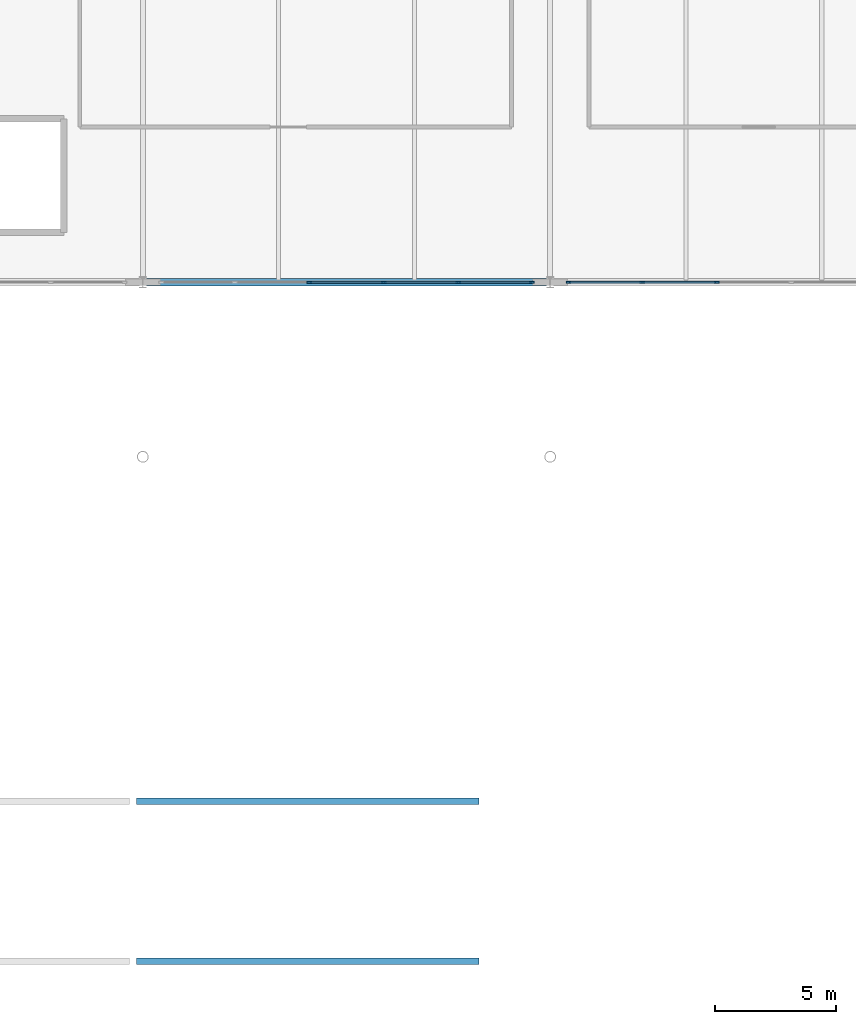
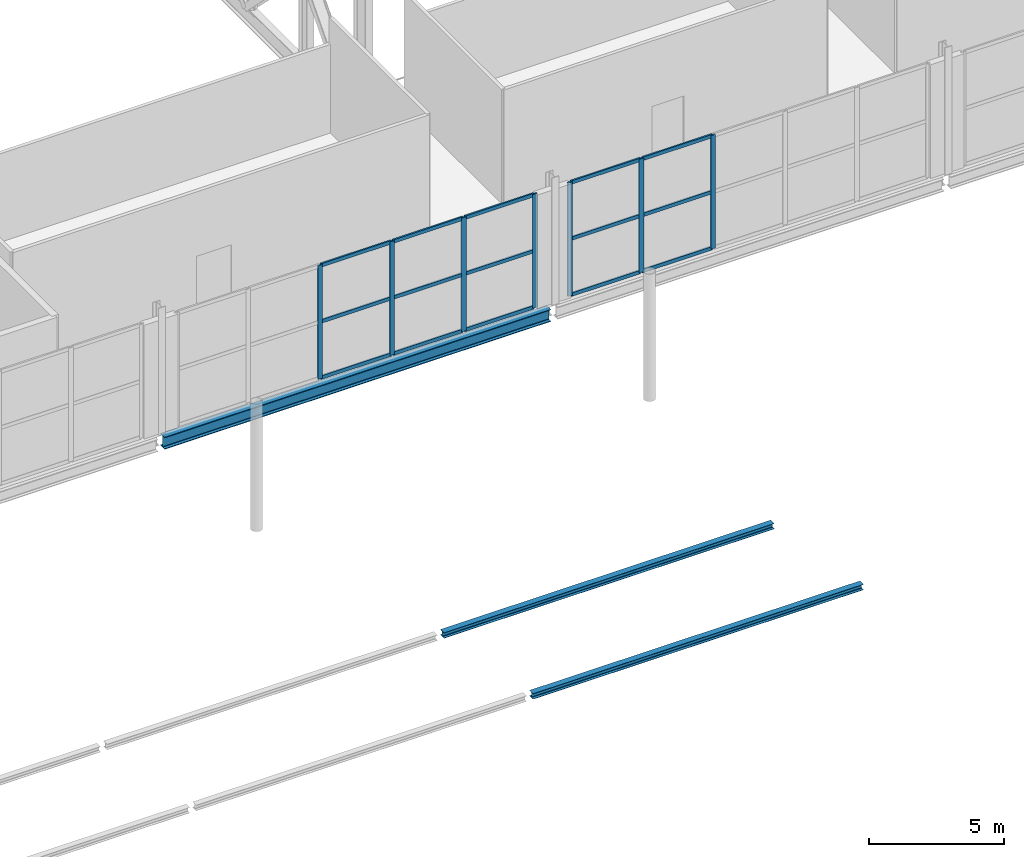
# One storey, part 21 of 84: 22 members, 3 beams, 2 elements without a shape of their own.
"""IFC4 building model written with IfcOpenShell, lengths in metres."""

from ifc_helpers import new_model, si_unit, direction, frame, origin, origin_2d, place, context, subcontext, project, spatial, rectangle, i_section, extrude, material, material_profile, profile_set, type_object, element, aggregate, save


model = new_model("IFC4")

# Units and contexts
model_context = context("Model", 3, precision=1e-05, world=origin(), true_north=direction((0.0, 1.0)))
body_context = subcontext(model_context, "Body", "Model", "MODEL_VIEW")
ifc_project = project(units=[si_unit("LENGTHUNIT", "METRE"), si_unit("AREAUNIT", "SQUARE_METRE"), si_unit("VOLUMEUNIT", "CUBIC_METRE"), si_unit("PLANEANGLEUNIT", "RADIAN"), si_unit("MASSUNIT", "GRAM", prefix="KILO")], contexts=[model_context])

# Site, building, storey
site_placement = place(None, origin())
site = spatial("IfcSite", under=ifc_project, at=site_placement, CompositionType="ELEMENT")
building_placement = place(site_placement, origin())
building = spatial("IfcBuilding", under=site, at=building_placement, Name="Kimbaza Rail Terminus", CompositionType="ELEMENT")
storey_placement = place(building_placement, frame((0.0, 0.0, 5.39990234375)))
storey = spatial("IfcBuildingStorey", under=building, at=storey_placement, Name="L01", CompositionType="ELEMENT", Elevation=5.39990234375)

# Curtain wall, members
ifc_material_1 = material(Name="Anodised aluminium framing and solar low-E glazing", Category="aluminium")
curtain_wall_type = type_object("IfcCurtainWallType", Name="ARC-CW-CN1", PredefinedType="USERDEFINED", material=ifc_material_1)
curtain_wall_1_placement = place(storey_placement, origin())
curtain_wall_1 = element("IfcCurtainWall", 1, at=curtain_wall_1_placement, inside=storey, type_object=curtain_wall_type, Name="South Concourse Upper Glazing L01 Bay 2", ObjectType="UNITISED CURTAIN WALL", PredefinedType="USERDEFINED")
ifc_material_2 = material(Name="Anodised architectural aluminium", Category="aluminium")
ifc_material_profile_1 = material_profile(ifc_material_2, rectangle(XDim=0.070068359375, YDim=0.199951171875, at=origin_2d()), Name="MULLION 70x200")
ifc_profile_set_1 = profile_set([ifc_material_profile_1], Name="Anodised architectural aluminium")
member_type_1 = type_object("IfcMemberType", Name="ARC-CWM-02", PredefinedType="MULLION", material=ifc_profile_set_1)
member_1_placement = place(storey_placement, frame((78.864013671875, 41.0, 0.0), z_axis=(0.0, 0.0, 1.0), x_axis=(0.0, 1.0, 0.0)))
member_1 = element("IfcMember", 2, at=member_1_placement, type_object=member_type_1, Name="CW-02 mullion 3", PredefinedType="MULLION", context=body_context, shape_type="SweptSolid", body=[
    extrude(rectangle(XDim=0.070068359375, YDim=0.199951171875, at=origin_2d()), origin(), (0.0, 0.0, 1.0), 5.14013671875),
])
member_2_placement = place(storey_placement, frame((81.93603515625, 41.0, 0.0), z_axis=(0.0, 0.0, 1.0), x_axis=(0.0, 1.0, 0.0)))
member_2 = element("IfcMember", 3, at=member_2_placement, type_object=member_type_1, Name="CW-02 mullion 4", PredefinedType="MULLION", context=body_context, shape_type="SweptSolid", body=[
    extrude(rectangle(XDim=0.070068359375, YDim=0.199951171875, at=origin_2d()), origin(), (0.0, 0.0, 1.0), 5.14013671875),
])
member_3_placement = place(storey_placement, frame((85.008056640625, 41.0, 0.0), z_axis=(0.0, 0.0, 1.0), x_axis=(0.0, 1.0, 0.0)))
member_3 = element("IfcMember", 4, at=member_3_placement, type_object=member_type_1, Name="CW-02 mullion 5", PredefinedType="MULLION", context=body_context, shape_type="SweptSolid", body=[
    extrude(rectangle(XDim=0.070068359375, YDim=0.199951171875, at=origin_2d()), origin(), (0.0, 0.0, 1.0), 5.14013671875),
])
member_4_placement = place(storey_placement, frame((88.044921875, 41.0, 0.0), z_axis=(0.0, 0.0, 1.0), x_axis=(0.0, 1.0, 0.0)))
member_4 = element("IfcMember", 5, at=member_4_placement, type_object=member_type_1, Name="CW-02 mullion 6", PredefinedType="MULLION", context=body_context, shape_type="SweptSolid", body=[
    extrude(rectangle(XDim=0.070068359375, YDim=0.199951171875, at=origin_2d()), origin(), (0.0, 0.0, 1.0), 5.14013671875),
])

curtain_wall_2_placement = place(storey_placement, origin())
curtain_wall_2 = element("IfcCurtainWall", 6, at=curtain_wall_2_placement, inside=storey, type_object=curtain_wall_type, Name="South Concourse Upper Glazing L01 Bay 3", ObjectType="UNITISED CURTAIN WALL", PredefinedType="USERDEFINED")
member_5_placement = place(storey_placement, frame((89.554931640625, 41.0, 0.0), z_axis=(0.0, 0.0, 1.0), x_axis=(0.0, 1.0, 0.0)))
member_5 = element("IfcMember", 7, at=member_5_placement, type_object=member_type_1, Name="CW-02 mullion 1", PredefinedType="MULLION", context=body_context, shape_type="SweptSolid", body=[
    extrude(rectangle(XDim=0.070068359375, YDim=0.199951171875, at=origin_2d()), origin(), (0.0, 0.0, 1.0), 5.14013671875),
])
member_6_placement = place(storey_placement, frame((92.592041015625, 41.0, 0.0), z_axis=(0.0, 0.0, 1.0), x_axis=(0.0, 1.0, 0.0)))
member_6 = element("IfcMember", 8, at=member_6_placement, type_object=member_type_1, Name="CW-02 mullion 2", PredefinedType="MULLION", context=body_context, shape_type="SweptSolid", body=[
    extrude(rectangle(XDim=0.070068359375, YDim=0.199951171875, at=origin_2d()), origin(), (0.0, 0.0, 1.0), 5.14013671875),
])
member_7_placement = place(storey_placement, frame((95.6640625, 41.0, 0.0), z_axis=(0.0, 0.0, 1.0), x_axis=(0.0, 1.0, 0.0)))
member_7 = element("IfcMember", 9, at=member_7_placement, type_object=member_type_1, Name="CW-02 mullion 3", PredefinedType="MULLION", context=body_context, shape_type="SweptSolid", body=[
    extrude(rectangle(XDim=0.070068359375, YDim=0.199951171875, at=origin_2d()), origin(), (0.0, 0.0, 1.0), 5.14013671875),
])

# Member
ifc_material_3 = material(Name="Anodised architectural aluminium", Category="aluminium")
ifc_material_profile_2 = material_profile(ifc_material_3, rectangle(XDim=0.070068359375, YDim=0.159912109375, at=origin_2d()), Name="TRANSOM 70x160")
ifc_profile_set_2 = profile_set([ifc_material_profile_2], Name="Anodised architectural aluminium")
member_type_2 = type_object("IfcMemberType", Name="ARC-CWT-02", PredefinedType="USERDEFINED", material=ifc_profile_set_2)
member_8_placement = place(storey_placement, frame((78.89892578125, 41.0, 0.03515625), z_axis=(1.0, 0.0, 0.0), x_axis=(0.0, 1.0, 0.0)))
member_8 = element("IfcMember", 10, at=member_8_placement, type_object=member_type_2, Name="CW-02 transom 3.1", ObjectType="TRANSOM", PredefinedType="USERDEFINED", context=body_context, shape_type="SweptSolid", body=[
    extrude(rectangle(XDim=0.070068359375, YDim=0.159912109375, at=origin_2d()), origin(), (0.0, 0.0, 1.0), 3.001953125),
])

member_9_placement = place(storey_placement, frame((78.89892578125, 41.0, 2.570068359375), z_axis=(1.0, 0.0, 0.0), x_axis=(0.0, 1.0, 0.0)))
member_9 = element("IfcMember", 11, at=member_9_placement, type_object=member_type_2, Name="CW-02 transom 3.2", ObjectType="TRANSOM", PredefinedType="USERDEFINED", context=body_context, shape_type="SweptSolid", body=[
    extrude(rectangle(XDim=0.070068359375, YDim=0.159912109375, at=origin_2d()), origin(), (0.0, 0.0, 1.0), 3.001953125),
])

member_10_placement = place(storey_placement, frame((78.89892578125, 41.0, 5.10498046875), z_axis=(1.0, 0.0, 0.0), x_axis=(0.0, 1.0, 0.0)))
member_10 = element("IfcMember", 12, at=member_10_placement, type_object=member_type_2, Name="CW-02 transom 3.3", ObjectType="TRANSOM", PredefinedType="USERDEFINED", context=body_context, shape_type="SweptSolid", body=[
    extrude(rectangle(XDim=0.070068359375, YDim=0.159912109375, at=origin_2d()), origin(), (0.0, 0.0, 1.0), 3.001953125),
])

member_11_placement = place(storey_placement, frame((81.970947265625, 41.0, 0.03515625), z_axis=(1.0, 0.0, 0.0), x_axis=(0.0, 1.0, 0.0)))
member_11 = element("IfcMember", 13, at=member_11_placement, type_object=member_type_2, Name="CW-02 transom 4.1", ObjectType="TRANSOM", PredefinedType="USERDEFINED", context=body_context, shape_type="SweptSolid", body=[
    extrude(rectangle(XDim=0.070068359375, YDim=0.159912109375, at=origin_2d()), origin(), (0.0, 0.0, 1.0), 3.001953125),
])

member_12_placement = place(storey_placement, frame((81.970947265625, 41.0, 2.570068359375), z_axis=(1.0, 0.0, 0.0), x_axis=(0.0, 1.0, 0.0)))
member_12 = element("IfcMember", 14, at=member_12_placement, type_object=member_type_2, Name="CW-02 transom 4.2", ObjectType="TRANSOM", PredefinedType="USERDEFINED", context=body_context, shape_type="SweptSolid", body=[
    extrude(rectangle(XDim=0.070068359375, YDim=0.159912109375, at=origin_2d()), origin(), (0.0, 0.0, 1.0), 3.001953125),
])

member_13_placement = place(storey_placement, frame((81.970947265625, 41.0, 5.10498046875), z_axis=(1.0, 0.0, 0.0), x_axis=(0.0, 1.0, 0.0)))
member_13 = element("IfcMember", 15, at=member_13_placement, type_object=member_type_2, Name="CW-02 transom 4.3", ObjectType="TRANSOM", PredefinedType="USERDEFINED", context=body_context, shape_type="SweptSolid", body=[
    extrude(rectangle(XDim=0.070068359375, YDim=0.159912109375, at=origin_2d()), origin(), (0.0, 0.0, 1.0), 3.001953125),
])

member_14_placement = place(storey_placement, frame((85.04296875, 41.0, 0.03515625), z_axis=(1.0, 0.0, 0.0), x_axis=(0.0, 1.0, 0.0)))
member_14 = element("IfcMember", 16, at=member_14_placement, type_object=member_type_2, Name="CW-02 transom 5.1", ObjectType="TRANSOM", PredefinedType="USERDEFINED", context=body_context, shape_type="SweptSolid", body=[
    extrude(rectangle(XDim=0.070068359375, YDim=0.159912109375, at=origin_2d()), origin(), (0.0, 0.0, 1.0), 2.967041015625),
])

member_15_placement = place(storey_placement, frame((85.04296875, 41.0, 2.570068359375), z_axis=(1.0, 0.0, 0.0), x_axis=(0.0, 1.0, 0.0)))
member_15 = element("IfcMember", 17, at=member_15_placement, type_object=member_type_2, Name="CW-02 transom 5.2", ObjectType="TRANSOM", PredefinedType="USERDEFINED", context=body_context, shape_type="SweptSolid", body=[
    extrude(rectangle(XDim=0.070068359375, YDim=0.159912109375, at=origin_2d()), origin(), (0.0, 0.0, 1.0), 2.967041015625),
])

member_16_placement = place(storey_placement, frame((85.04296875, 41.0, 5.10498046875), z_axis=(1.0, 0.0, 0.0), x_axis=(0.0, 1.0, 0.0)))
member_16 = element("IfcMember", 18, at=member_16_placement, type_object=member_type_2, Name="CW-02 transom 5.3", ObjectType="TRANSOM", PredefinedType="USERDEFINED", context=body_context, shape_type="SweptSolid", body=[
    extrude(rectangle(XDim=0.070068359375, YDim=0.159912109375, at=origin_2d()), origin(), (0.0, 0.0, 1.0), 2.967041015625),
])

aggregate(curtain_wall_1, [member_1, member_2, member_3, member_4, member_8, member_9, member_10, member_11, member_12, member_13, member_14, member_15, member_16])

member_17_placement = place(storey_placement, frame((89.590087890625, 41.0, 0.03515625), z_axis=(1.0, 0.0, 0.0), x_axis=(0.0, 1.0, 0.0)))
member_17 = element("IfcMember", 19, at=member_17_placement, type_object=member_type_2, Name="CW-02 transom 1.1", ObjectType="TRANSOM", PredefinedType="USERDEFINED", context=body_context, shape_type="SweptSolid", body=[
    extrude(rectangle(XDim=0.070068359375, YDim=0.159912109375, at=origin_2d()), origin(), (0.0, 0.0, 1.0), 2.966796875),
])

member_18_placement = place(storey_placement, frame((89.590087890625, 41.0, 2.570068359375), z_axis=(1.0, 0.0, 0.0), x_axis=(0.0, 1.0, 0.0)))
member_18 = element("IfcMember", 20, at=member_18_placement, type_object=member_type_2, Name="CW-02 transom 1.2", ObjectType="TRANSOM", PredefinedType="USERDEFINED", context=body_context, shape_type="SweptSolid", body=[
    extrude(rectangle(XDim=0.070068359375, YDim=0.159912109375, at=origin_2d()), origin(), (0.0, 0.0, 1.0), 2.966796875),
])

member_19_placement = place(storey_placement, frame((89.590087890625, 41.0, 5.10498046875), z_axis=(1.0, 0.0, 0.0), x_axis=(0.0, 1.0, 0.0)))
member_19 = element("IfcMember", 21, at=member_19_placement, type_object=member_type_2, Name="CW-02 transom 1.3", ObjectType="TRANSOM", PredefinedType="USERDEFINED", context=body_context, shape_type="SweptSolid", body=[
    extrude(rectangle(XDim=0.070068359375, YDim=0.159912109375, at=origin_2d()), origin(), (0.0, 0.0, 1.0), 2.966796875),
])

member_20_placement = place(storey_placement, frame((92.626953125, 41.0, 0.03515625), z_axis=(1.0, 0.0, 0.0), x_axis=(0.0, 1.0, 0.0)))
member_20 = element("IfcMember", 22, at=member_20_placement, type_object=member_type_2, Name="CW-02 transom 2.1", ObjectType="TRANSOM", PredefinedType="USERDEFINED", context=body_context, shape_type="SweptSolid", body=[
    extrude(rectangle(XDim=0.070068359375, YDim=0.159912109375, at=origin_2d()), origin(), (0.0, 0.0, 1.0), 3.001953125),
])

member_21_placement = place(storey_placement, frame((92.626953125, 41.0, 2.570068359375), z_axis=(1.0, 0.0, 0.0), x_axis=(0.0, 1.0, 0.0)))
member_21 = element("IfcMember", 23, at=member_21_placement, type_object=member_type_2, Name="CW-02 transom 2.2", ObjectType="TRANSOM", PredefinedType="USERDEFINED", context=body_context, shape_type="SweptSolid", body=[
    extrude(rectangle(XDim=0.070068359375, YDim=0.159912109375, at=origin_2d()), origin(), (0.0, 0.0, 1.0), 3.001953125),
])

member_22_placement = place(storey_placement, frame((92.626953125, 41.0, 5.10498046875), z_axis=(1.0, 0.0, 0.0), x_axis=(0.0, 1.0, 0.0)))
member_22 = element("IfcMember", 24, at=member_22_placement, type_object=member_type_2, Name="CW-02 transom 2.3", ObjectType="TRANSOM", PredefinedType="USERDEFINED", context=body_context, shape_type="SweptSolid", body=[
    extrude(rectangle(XDim=0.070068359375, YDim=0.159912109375, at=origin_2d()), origin(), (0.0, 0.0, 1.0), 3.001953125),
])

aggregate(curtain_wall_2, [member_5, member_6, member_7, member_17, member_18, member_19, member_20, member_21, member_22])

# Beams
ifc_material_4 = material(Name="Steel S355", Category="steel")
ifc_material_profile_3 = material_profile(ifc_material_4, i_section(OverallWidth=0.260009765625, OverallDepth=0.25, WebThickness=0.007568359375, FlangeThickness=0.012451171875, FilletRadius=0.02392578125, at=origin_2d()), Name="HEA 260")
ifc_profile_set_3 = profile_set([ifc_material_profile_3], Name="Steel S355")
beam_type_1 = type_object("IfcBeamType", Name="STR-BM-HEA260", PredefinedType="BEAM", material=ifc_profile_set_3)
for number, where, z_axis, x_axis, name in (
    (25, (71.739990234375, 13.0, 5.175048828125), (1.0, 0.0, 0.0), (0.0, 1.0, 0.0), "Beam BM-V3X-4-0"),
    (26, (71.739990234375, 19.60009765625, 3.925048828125), (1.0, 0.0, 0.0), (0.0, 1.0, 0.0), "Beam BM-V3X-4-1"),
):
    element("IfcBeam", number, at=place(storey_placement, frame(where, z_axis=z_axis, x_axis=x_axis)), inside=storey, type_object=beam_type_1, Name=name, PredefinedType="BEAM", context=body_context, shape_type="SweptSolid", body=[
        extrude(i_section(OverallWidth=0.260009765625, OverallDepth=0.25, WebThickness=0.007568359375, FlangeThickness=0.012451171875, FilletRadius=0.02392578125, at=origin_2d()), origin(), (0.0, 0.0, 1.0), 14.1201171875),
    ])
ifc_material_5 = material(Name="Steel S355", Category="steel")
ifc_material_profile_4 = material_profile(ifc_material_5, i_section(OverallWidth=0.300048828125, OverallDepth=0.550048828125, WebThickness=0.014892578125, FlangeThickness=0.029052734375, FilletRadius=0.027099609375, at=origin_2d()), Name="HEB 550")
ifc_profile_set_4 = profile_set([ifc_material_profile_4], Name="Steel S355")
beam_type_2 = type_object("IfcBeamType", Name="STR-BM-HEB550", PredefinedType="BEAM", material=ifc_profile_set_4)
beam_placement = place(storey_placement, frame((72.14599609375, 41.0, -0.494873046875), z_axis=(1.0, 0.0, 0.0), x_axis=(0.0, 1.0, 0.0)))
element("IfcBeam", 27, at=beam_placement, inside=storey, type_object=beam_type_2, Name="Beam BM-V2X-L01-41-1", PredefinedType="BEAM", context=body_context, shape_type="SweptSolid", body=[
    extrude(i_section(OverallWidth=0.300048828125, OverallDepth=0.550048828125, WebThickness=0.014892578125, FlangeThickness=0.029052734375, FilletRadius=0.027099609375, at=origin_2d()), origin(), (0.0, 0.0, 1.0), 16.508056640625),
])

save(model, "model.ifc")
